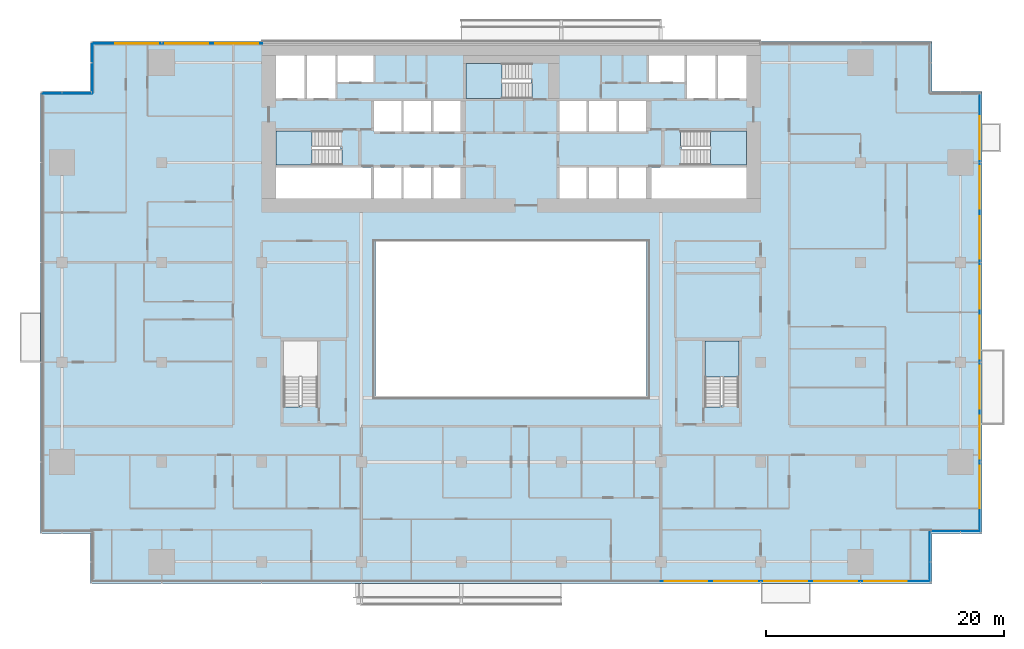
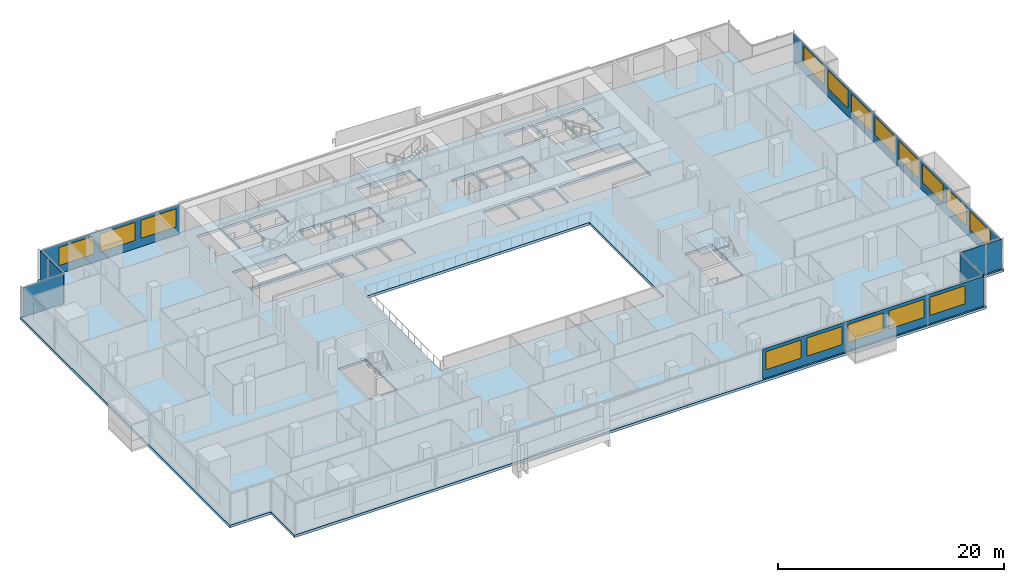
# One storey, part 15 of 26: 16 windows, 7 plates, 5 slabs, 16 openings, 11 elements without a shape of their own.
"""IFC4 building model written with IfcOpenShell, lengths in metres."""

from ifc_helpers import new_model, si_unit, direction, frame, frame_2d, origin, place, context, subcontext, project, spatial, polyline, rectangle, outline, extrude, material, layer, layer_set, type_object, element, fill, aggregate, save


model = new_model("IFC4")

# Units and contexts
model_context = context("Model", 3, precision=1e-05, world=origin(), true_north=direction((0.0, 1.0)))
body_context = subcontext(model_context, "Body", "Model", "MODEL_VIEW")
ifc_project = project(units=[si_unit("LENGTHUNIT", "METRE"), si_unit("AREAUNIT", "SQUARE_METRE"), si_unit("VOLUMEUNIT", "CUBIC_METRE"), si_unit("PLANEANGLEUNIT", "RADIAN"), si_unit("MASSUNIT", "GRAM", prefix="KILO")], contexts=[model_context])

# Site, building, storey
site_placement = place(None, origin())
site = spatial("IfcSite", under=ifc_project, at=site_placement, CompositionType="ELEMENT")
building_placement = place(site_placement, origin())
building = spatial("IfcBuilding", under=site, at=building_placement, Name="Saffron Gate Tower", CompositionType="ELEMENT")
storey_placement = place(building_placement, frame((0.0, 0.0, 62.39990234375)))
storey = spatial("IfcBuildingStorey", under=building, at=storey_placement, Name="L14", CompositionType="ELEMENT", Elevation=62.39990234375)

# Curtain wall, plate, openings, windows
ifc_material_1 = material(Name="Aluminium, bronze anodised", Category="aluminium")
curtain_wall_type_1 = type_object("IfcCurtainWallType", Name="CWS1 curtain wall front facade", PredefinedType="NOTDEFINED", material=ifc_material_1)
curtain_wall_1_placement = place(storey_placement, origin())
curtain_wall_1 = element("IfcCurtainWall", 1, at=curtain_wall_1_placement, inside=storey, type_object=curtain_wall_type_1, Name="CWS1 run 1", PredefinedType="NOTDEFINED")
ifc_material_2 = material(Name="Fritted bronze-tinted laminated glass", Category="glass")
ifc_layer_1 = layer(ifc_material_2, 0.028076171875)
ifc_layer_set_1 = layer_set([ifc_layer_1], Name="CWS1 fixed glass")
plate_type_1 = type_object("IfcPlateType", Name="CWS1 fixed glass", PredefinedType="CURTAIN_PANEL", material=ifc_layer_set_1)
plate_1_placement = place(storey_placement, frame((100.169921875, 30.174072265625, 0.0), z_axis=(0.0, 0.0, 1.0), x_axis=(1.0, 0.0, 0.0)))
plate_1 = element("IfcPlate", 2, at=plate_1_placement, type_object=plate_type_1, Name="CWS1 glass panel", PredefinedType="CURTAIN_PANEL", context=body_context, shape_type="SweptSolid", body=[
    extrude(rectangle(XDim=22.64208984375, YDim=0.028076171875, at=frame_2d((11.321044921875, 0.0))), origin(), (0.0, 0.0, 1.0), 3.2001953125),
])
opening_1_placement = place(plate_1_placement, frame((0.330078125, 0.0, 0.89990234375)))
opening_1 = element("IfcOpeningElement", 3, at=opening_1_placement, cuts=plate_1, Name="Opening W1", PredefinedType="OPENING", context=body_context, shape_type="SweptSolid", body=[
    extrude(rectangle(XDim=3.60009765625, YDim=1.949951171875, at=frame_2d((1.800048828125, 0.97509765625))), frame((0.0, 0.02392578125, 0.0), z_axis=(0.0, -1.0, 0.0), x_axis=(1.0, 0.0, 0.0)), (0.0, 0.0, 1.0), 0.048095703125),
])
opening_2_placement = place(plate_1_placement, frame((4.530029296875, 0.0, 0.89990234375)))
opening_2 = element("IfcOpeningElement", 4, at=opening_2_placement, cuts=plate_1, Name="Opening W1", PredefinedType="OPENING", context=body_context, shape_type="SweptSolid", body=[
    extrude(rectangle(XDim=3.60009765625, YDim=1.949951171875, at=frame_2d((1.800048828125, 0.97509765625))), frame((0.0, 0.02392578125, 0.0), z_axis=(0.0, -1.0, 0.0), x_axis=(1.0, 0.0, 0.0)), (0.0, 0.0, 1.0), 0.048095703125),
])
opening_3_placement = place(plate_1_placement, frame((8.72998046875, 0.0, 0.89990234375)))
opening_3 = element("IfcOpeningElement", 5, at=opening_3_placement, cuts=plate_1, Name="Opening W1", PredefinedType="OPENING", context=body_context, shape_type="SweptSolid", body=[
    extrude(rectangle(XDim=3.60009765625, YDim=1.949951171875, at=frame_2d((1.800048828125, 0.97509765625))), frame((0.0, 0.02392578125, 0.0), z_axis=(0.0, -1.0, 0.0), x_axis=(1.0, 0.0, 0.0)), (0.0, 0.0, 1.0), 0.048095703125),
])
opening_4_placement = place(plate_1_placement, frame((12.929931640625, 0.0, 0.89990234375)))
opening_4 = element("IfcOpeningElement", 6, at=opening_4_placement, cuts=plate_1, Name="Opening W1", PredefinedType="OPENING", context=body_context, shape_type="SweptSolid", body=[
    extrude(rectangle(XDim=3.60009765625, YDim=1.949951171875, at=frame_2d((1.800048828125, 0.97509765625))), frame((0.0, 0.02392578125, 0.0), z_axis=(0.0, -1.0, 0.0), x_axis=(1.0, 0.0, 0.0)), (0.0, 0.0, 1.0), 0.048095703125),
])
opening_5_placement = place(plate_1_placement, frame((17.1298828125, 0.0, 0.89990234375)))
opening_5 = element("IfcOpeningElement", 7, at=opening_5_placement, cuts=plate_1, Name="Opening W1", PredefinedType="OPENING", context=body_context, shape_type="SweptSolid", body=[
    extrude(rectangle(XDim=3.60009765625, YDim=1.949951171875, at=frame_2d((1.800048828125, 0.97509765625))), frame((0.0, 0.02392578125, 0.0), z_axis=(0.0, -1.0, 0.0), x_axis=(1.0, 0.0, 0.0)), (0.0, 0.0, 1.0), 0.048095703125),
])
ifc_material_3 = material(Name="Fritted bronze-tinted laminated glass in bronze frame", Category="glass")
ifc_layer_2 = layer(ifc_material_3, 0.06005859375)
ifc_layer_set_2 = layer_set([ifc_layer_2], Name="W1 operable panel 3600x1950")
window_type = type_object("IfcWindowType", Name="W1 operable panel 3600x1950", PartitioningType="DOUBLE_PANEL_HORIZONTAL", PredefinedType="WINDOW", material=ifc_layer_set_2)
window_1_placement = place(opening_1_placement, origin())
window_1 = element("IfcWindow", 8, at=window_1_placement, type_object=window_type, Name="W1 operable panel", OverallHeight=1.949951171875, OverallWidth=3.60009765625, PartitioningType="SINGLE_PANEL", PredefinedType="WINDOW", context=body_context, shape_type="SweptSolid", body=[
    extrude(rectangle(XDim=3.60009765625, YDim=1.949951171875, at=frame_2d((1.800048828125, 0.97509765625))), frame((0.0, 0.013671875, 0.0), z_axis=(0.0, -1.0, 0.0), x_axis=(1.0, 0.0, 0.0)), (0.0, 0.0, 1.0), 0.027587890625),
])
fill(opening_1, window_1)
window_2_placement = place(opening_2_placement, origin())
window_2 = element("IfcWindow", 9, at=window_2_placement, type_object=window_type, Name="W1 operable panel", OverallHeight=1.949951171875, OverallWidth=3.60009765625, PartitioningType="SINGLE_PANEL", PredefinedType="WINDOW", context=body_context, shape_type="SweptSolid", body=[
    extrude(rectangle(XDim=3.60009765625, YDim=1.949951171875, at=frame_2d((1.800048828125, 0.97509765625))), frame((0.0, 0.013671875, 0.0), z_axis=(0.0, -1.0, 0.0), x_axis=(1.0, 0.0, 0.0)), (0.0, 0.0, 1.0), 0.027587890625),
])
fill(opening_2, window_2)
window_3_placement = place(opening_3_placement, origin())
window_3 = element("IfcWindow", 10, at=window_3_placement, type_object=window_type, Name="W1 operable panel", OverallHeight=1.949951171875, OverallWidth=3.60009765625, PartitioningType="SINGLE_PANEL", PredefinedType="WINDOW", context=body_context, shape_type="SweptSolid", body=[
    extrude(rectangle(XDim=3.60009765625, YDim=1.949951171875, at=frame_2d((1.800048828125, 0.97509765625))), frame((0.0, 0.013671875, 0.0), z_axis=(0.0, -1.0, 0.0), x_axis=(1.0, 0.0, 0.0)), (0.0, 0.0, 1.0), 0.027587890625),
])
fill(opening_3, window_3)
window_4_placement = place(opening_4_placement, origin())
window_4 = element("IfcWindow", 11, at=window_4_placement, type_object=window_type, Name="W1 operable panel", OverallHeight=1.949951171875, OverallWidth=3.60009765625, PartitioningType="SINGLE_PANEL", PredefinedType="WINDOW", context=body_context, shape_type="SweptSolid", body=[
    extrude(rectangle(XDim=3.60009765625, YDim=1.949951171875, at=frame_2d((1.800048828125, 0.97509765625))), frame((0.0, 0.013671875, 0.0), z_axis=(0.0, -1.0, 0.0), x_axis=(1.0, 0.0, 0.0)), (0.0, 0.0, 1.0), 0.027587890625),
])
fill(opening_4, window_4)
window_5_placement = place(opening_5_placement, origin())
window_5 = element("IfcWindow", 12, at=window_5_placement, type_object=window_type, Name="W1 operable panel", OverallHeight=1.949951171875, OverallWidth=3.60009765625, PartitioningType="SINGLE_PANEL", PredefinedType="WINDOW", context=body_context, shape_type="SweptSolid", body=[
    extrude(rectangle(XDim=3.60009765625, YDim=1.949951171875, at=frame_2d((1.800048828125, 0.97509765625))), frame((0.0, 0.013671875, 0.0), z_axis=(0.0, -1.0, 0.0), x_axis=(1.0, 0.0, 0.0)), (0.0, 0.0, 1.0), 0.027587890625),
])
fill(opening_5, window_5)
aggregate(curtain_wall_1, [plate_1, window_1, window_2, window_3, window_4, window_5])

curtain_wall_type_2 = type_object("IfcCurtainWallType", Name="CWS2 curtain wall side facades", PredefinedType="NOTDEFINED", material=ifc_material_1)
curtain_wall_2_placement = place(storey_placement, origin())
curtain_wall_2 = element("IfcCurtainWall", 13, at=curtain_wall_2_placement, inside=storey, type_object=curtain_wall_type_2, Name="CWS2 run 4", PredefinedType="NOTDEFINED")
ifc_layer_3 = layer(ifc_material_2, 0.028076171875)
ifc_layer_set_3 = layer_set([ifc_layer_3], Name="CWS2 fixed glass")
plate_type_2 = type_object("IfcPlateType", Name="CWS2 fixed glass", PredefinedType="CURTAIN_PANEL", material=ifc_layer_set_3)
plate_2_placement = place(storey_placement, frame((127.02587890625, 34.387939453125, 0.0), z_axis=(0.0, 0.0, 1.0), x_axis=(0.0, 1.0, 0.0)))
plate_2 = element("IfcPlate", 14, at=plate_2_placement, type_object=plate_type_2, Name="CWS2 glass panel", PredefinedType="CURTAIN_PANEL", context=body_context, shape_type="SweptSolid", body=[
    extrude(rectangle(XDim=36.823974609375, YDim=0.028076171875, at=frame_2d((18.412109375, 0.0))), origin(), (0.0, 0.0, 1.0), 3.2001953125),
])
opening_6_placement = place(plate_2_placement, frame((1.912109375, 0.0, 0.89990234375)))
opening_6 = element("IfcOpeningElement", 15, at=opening_6_placement, cuts=plate_2, Name="Opening W1", PredefinedType="OPENING", context=body_context, shape_type="SweptSolid", body=[
    extrude(rectangle(XDim=3.60009765625, YDim=1.949951171875, at=frame_2d((1.800048828125, 0.97509765625))), frame((0.0, 0.02392578125, 0.0), z_axis=(0.0, -1.0, 0.0), x_axis=(1.0, 0.0, 0.0)), (0.0, 0.0, 1.0), 0.048095703125),
])
opening_7_placement = place(plate_2_placement, frame((6.112060546875, 0.0, 0.89990234375)))
opening_7 = element("IfcOpeningElement", 16, at=opening_7_placement, cuts=plate_2, Name="Opening W1", PredefinedType="OPENING", context=body_context, shape_type="SweptSolid", body=[
    extrude(rectangle(XDim=3.60009765625, YDim=1.949951171875, at=frame_2d((1.800048828125, 0.97509765625))), frame((0.0, 0.02392578125, 0.0), z_axis=(0.0, -1.0, 0.0), x_axis=(1.0, 0.0, 0.0)), (0.0, 0.0, 1.0), 0.048095703125),
])
opening_8_placement = place(plate_2_placement, frame((10.31201171875, 0.0, 0.89990234375)))
opening_8 = element("IfcOpeningElement", 17, at=opening_8_placement, cuts=plate_2, Name="Opening W1", PredefinedType="OPENING", context=body_context, shape_type="SweptSolid", body=[
    extrude(rectangle(XDim=3.60009765625, YDim=1.949951171875, at=frame_2d((1.800048828125, 0.97509765625))), frame((0.0, 0.02392578125, 0.0), z_axis=(0.0, -1.0, 0.0), x_axis=(1.0, 0.0, 0.0)), (0.0, 0.0, 1.0), 0.048095703125),
])
opening_9_placement = place(plate_2_placement, frame((14.511962890625, 0.0, 0.89990234375)))
opening_9 = element("IfcOpeningElement", 18, at=opening_9_placement, cuts=plate_2, Name="Opening W1", PredefinedType="OPENING", context=body_context, shape_type="SweptSolid", body=[
    extrude(rectangle(XDim=3.60009765625, YDim=1.949951171875, at=frame_2d((1.800048828125, 0.97509765625))), frame((0.0, 0.02392578125, 0.0), z_axis=(0.0, -1.0, 0.0), x_axis=(1.0, 0.0, 0.0)), (0.0, 0.0, 1.0), 0.048095703125),
])
opening_10_placement = place(plate_2_placement, frame((18.7119140625, 0.0, 0.89990234375)))
opening_10 = element("IfcOpeningElement", 19, at=opening_10_placement, cuts=plate_2, Name="Opening W1", PredefinedType="OPENING", context=body_context, shape_type="SweptSolid", body=[
    extrude(rectangle(XDim=3.60009765625, YDim=1.949951171875, at=frame_2d((1.800048828125, 0.97509765625))), frame((0.0, 0.02392578125, 0.0), z_axis=(0.0, -1.0, 0.0), x_axis=(1.0, 0.0, 0.0)), (0.0, 0.0, 1.0), 0.048095703125),
])
opening_11_placement = place(plate_2_placement, frame((22.912109375, 0.0, 0.89990234375)))
opening_11 = element("IfcOpeningElement", 20, at=opening_11_placement, cuts=plate_2, Name="Opening W1", PredefinedType="OPENING", context=body_context, shape_type="SweptSolid", body=[
    extrude(rectangle(XDim=3.60009765625, YDim=1.949951171875, at=frame_2d((1.800048828125, 0.97509765625))), frame((0.0, 0.02392578125, 0.0), z_axis=(0.0, -1.0, 0.0), x_axis=(1.0, 0.0, 0.0)), (0.0, 0.0, 1.0), 0.048095703125),
])
opening_12_placement = place(plate_2_placement, frame((27.112060546875, 0.0, 0.89990234375)))
opening_12 = element("IfcOpeningElement", 21, at=opening_12_placement, cuts=plate_2, Name="Opening W1", PredefinedType="OPENING", context=body_context, shape_type="SweptSolid", body=[
    extrude(rectangle(XDim=3.60009765625, YDim=1.949951171875, at=frame_2d((1.800048828125, 0.97509765625))), frame((0.0, 0.02392578125, 0.0), z_axis=(0.0, -1.0, 0.0), x_axis=(1.0, 0.0, 0.0)), (0.0, 0.0, 1.0), 0.048095703125),
])
opening_13_placement = place(plate_2_placement, frame((31.31201171875, 0.0, 0.89990234375)))
opening_13 = element("IfcOpeningElement", 22, at=opening_13_placement, cuts=plate_2, Name="Opening W1", PredefinedType="OPENING", context=body_context, shape_type="SweptSolid", body=[
    extrude(rectangle(XDim=3.60009765625, YDim=1.949951171875, at=frame_2d((1.800048828125, 0.97509765625))), frame((0.0, 0.02392578125, 0.0), z_axis=(0.0, -1.0, 0.0), x_axis=(1.0, 0.0, 0.0)), (0.0, 0.0, 1.0), 0.048095703125),
])
window_6_placement = place(opening_6_placement, origin())
window_6 = element("IfcWindow", 23, at=window_6_placement, type_object=window_type, Name="W1 operable panel", OverallHeight=1.949951171875, OverallWidth=3.60009765625, PartitioningType="SINGLE_PANEL", PredefinedType="WINDOW", context=body_context, shape_type="SweptSolid", body=[
    extrude(rectangle(XDim=3.60009765625, YDim=1.949951171875, at=frame_2d((1.800048828125, 0.97509765625))), frame((0.0, 0.013671875, 0.0), z_axis=(0.0, -1.0, 0.0), x_axis=(1.0, 0.0, 0.0)), (0.0, 0.0, 1.0), 0.027587890625),
])
fill(opening_6, window_6)
window_7_placement = place(opening_7_placement, origin())
window_7 = element("IfcWindow", 24, at=window_7_placement, type_object=window_type, Name="W1 operable panel", OverallHeight=1.949951171875, OverallWidth=3.60009765625, PartitioningType="SINGLE_PANEL", PredefinedType="WINDOW", context=body_context, shape_type="SweptSolid", body=[
    extrude(rectangle(XDim=3.60009765625, YDim=1.949951171875, at=frame_2d((1.800048828125, 0.97509765625))), frame((0.0, 0.013671875, 0.0), z_axis=(0.0, -1.0, 0.0), x_axis=(1.0, 0.0, 0.0)), (0.0, 0.0, 1.0), 0.027587890625),
])
fill(opening_7, window_7)
window_8_placement = place(opening_8_placement, origin())
window_8 = element("IfcWindow", 25, at=window_8_placement, type_object=window_type, Name="W1 operable panel", OverallHeight=1.949951171875, OverallWidth=3.60009765625, PartitioningType="SINGLE_PANEL", PredefinedType="WINDOW", context=body_context, shape_type="SweptSolid", body=[
    extrude(rectangle(XDim=3.60009765625, YDim=1.949951171875, at=frame_2d((1.800048828125, 0.97509765625))), frame((0.0, 0.013671875, 0.0), z_axis=(0.0, -1.0, 0.0), x_axis=(1.0, 0.0, 0.0)), (0.0, 0.0, 1.0), 0.027587890625),
])
fill(opening_8, window_8)
window_9_placement = place(opening_9_placement, origin())
window_9 = element("IfcWindow", 26, at=window_9_placement, type_object=window_type, Name="W1 operable panel", OverallHeight=1.949951171875, OverallWidth=3.60009765625, PartitioningType="SINGLE_PANEL", PredefinedType="WINDOW", context=body_context, shape_type="SweptSolid", body=[
    extrude(rectangle(XDim=3.60009765625, YDim=1.949951171875, at=frame_2d((1.800048828125, 0.97509765625))), frame((0.0, 0.013671875, 0.0), z_axis=(0.0, -1.0, 0.0), x_axis=(1.0, 0.0, 0.0)), (0.0, 0.0, 1.0), 0.027587890625),
])
fill(opening_9, window_9)
window_10_placement = place(opening_10_placement, origin())
window_10 = element("IfcWindow", 27, at=window_10_placement, type_object=window_type, Name="W1 operable panel", OverallHeight=1.949951171875, OverallWidth=3.60009765625, PartitioningType="SINGLE_PANEL", PredefinedType="WINDOW", context=body_context, shape_type="SweptSolid", body=[
    extrude(rectangle(XDim=3.60009765625, YDim=1.949951171875, at=frame_2d((1.800048828125, 0.97509765625))), frame((0.0, 0.013671875, 0.0), z_axis=(0.0, -1.0, 0.0), x_axis=(1.0, 0.0, 0.0)), (0.0, 0.0, 1.0), 0.027587890625),
])
fill(opening_10, window_10)
window_11_placement = place(opening_11_placement, origin())
window_11 = element("IfcWindow", 28, at=window_11_placement, type_object=window_type, Name="W1 operable panel", OverallHeight=1.949951171875, OverallWidth=3.60009765625, PartitioningType="SINGLE_PANEL", PredefinedType="WINDOW", context=body_context, shape_type="SweptSolid", body=[
    extrude(rectangle(XDim=3.60009765625, YDim=1.949951171875, at=frame_2d((1.800048828125, 0.97509765625))), frame((0.0, 0.013671875, 0.0), z_axis=(0.0, -1.0, 0.0), x_axis=(1.0, 0.0, 0.0)), (0.0, 0.0, 1.0), 0.027587890625),
])
fill(opening_11, window_11)
window_12_placement = place(opening_12_placement, origin())
window_12 = element("IfcWindow", 29, at=window_12_placement, type_object=window_type, Name="W1 operable panel", OverallHeight=1.949951171875, OverallWidth=3.60009765625, PartitioningType="SINGLE_PANEL", PredefinedType="WINDOW", context=body_context, shape_type="SweptSolid", body=[
    extrude(rectangle(XDim=3.60009765625, YDim=1.949951171875, at=frame_2d((1.800048828125, 0.97509765625))), frame((0.0, 0.013671875, 0.0), z_axis=(0.0, -1.0, 0.0), x_axis=(1.0, 0.0, 0.0)), (0.0, 0.0, 1.0), 0.027587890625),
])
fill(opening_12, window_12)
window_13_placement = place(opening_13_placement, origin())
window_13 = element("IfcWindow", 30, at=window_13_placement, type_object=window_type, Name="W1 operable panel", OverallHeight=1.949951171875, OverallWidth=3.60009765625, PartitioningType="SINGLE_PANEL", PredefinedType="WINDOW", context=body_context, shape_type="SweptSolid", body=[
    extrude(rectangle(XDim=3.60009765625, YDim=1.949951171875, at=frame_2d((1.800048828125, 0.97509765625))), frame((0.0, 0.013671875, 0.0), z_axis=(0.0, -1.0, 0.0), x_axis=(1.0, 0.0, 0.0)), (0.0, 0.0, 1.0), 0.027587890625),
])
fill(opening_13, window_13)
aggregate(curtain_wall_2, [plate_2, window_6, window_7, window_8, window_9, window_10, window_11, window_12, window_13])

curtain_wall_type_3 = type_object("IfcCurtainWallType", Name="CWS3 curtain wall rear facade", PredefinedType="NOTDEFINED", material=ifc_material_1)
curtain_wall_3_placement = place(storey_placement, origin())
curtain_wall_3 = element("IfcCurtainWall", 31, at=curtain_wall_3_placement, inside=storey, type_object=curtain_wall_type_3, Name="CWS3 run 7", PredefinedType="NOTDEFINED")
ifc_material_4 = material(Name="Fritted grey-tinted laminated glass", Category="glass")
ifc_layer_4 = layer(ifc_material_4, 0.028076171875)
ifc_layer_set_4 = layer_set([ifc_layer_4], Name="CWS3 fixed glass")
plate_type_3 = type_object("IfcPlateType", Name="CWS3 fixed glass", PredefinedType="CURTAIN_PANEL", material=ifc_layer_set_4)
plate_3_placement = place(storey_placement, frame((66.635009765625, 75.426025390625, 0.0), z_axis=(0.0, 0.0, 1.0), x_axis=(-1.0, 0.0, 0.0)))
plate_3 = element("IfcPlate", 32, at=plate_3_placement, type_object=plate_type_3, Name="CWS3 glass panel", PredefinedType="CURTAIN_PANEL", context=body_context, shape_type="SweptSolid", body=[
    extrude(rectangle(XDim=14.2470703125, YDim=0.028076171875, at=frame_2d((7.12353515625, 0.0))), origin(), (0.0, 0.0, 1.0), 3.2001953125),
])
opening_14_placement = place(plate_3_placement, frame((0.3349609375, 0.0, 0.89990234375)))
opening_14 = element("IfcOpeningElement", 33, at=opening_14_placement, cuts=plate_3, Name="Opening W1", PredefinedType="OPENING", context=body_context, shape_type="SweptSolid", body=[
    extrude(rectangle(XDim=3.60009765625, YDim=1.949951171875, at=frame_2d((1.800048828125, 0.97509765625))), frame((0.0, 0.02392578125, 0.0), z_axis=(0.0, -1.0, 0.0), x_axis=(1.0, 0.0, 0.0)), (0.0, 0.0, 1.0), 0.048095703125),
])
opening_15_placement = place(plate_3_placement, frame((4.534912109375, 0.0, 0.89990234375)))
opening_15 = element("IfcOpeningElement", 34, at=opening_15_placement, cuts=plate_3, Name="Opening W1", PredefinedType="OPENING", context=body_context, shape_type="SweptSolid", body=[
    extrude(rectangle(XDim=3.60009765625, YDim=1.949951171875, at=frame_2d((1.800048828125, 0.97509765625))), frame((0.0, 0.02392578125, 0.0), z_axis=(0.0, -1.0, 0.0), x_axis=(1.0, 0.0, 0.0)), (0.0, 0.0, 1.0), 0.048095703125),
])
opening_16_placement = place(plate_3_placement, frame((8.735107421875, 0.0, 0.89990234375)))
opening_16 = element("IfcOpeningElement", 35, at=opening_16_placement, cuts=plate_3, Name="Opening W1", PredefinedType="OPENING", context=body_context, shape_type="SweptSolid", body=[
    extrude(rectangle(XDim=3.60009765625, YDim=1.949951171875, at=frame_2d((1.800048828125, 0.97509765625))), frame((0.0, 0.02392578125, 0.0), z_axis=(0.0, -1.0, 0.0), x_axis=(1.0, 0.0, 0.0)), (0.0, 0.0, 1.0), 0.048095703125),
])
window_14_placement = place(opening_14_placement, origin())
window_14 = element("IfcWindow", 36, at=window_14_placement, type_object=window_type, Name="W1 operable panel", OverallHeight=1.949951171875, OverallWidth=3.60009765625, PartitioningType="SINGLE_PANEL", PredefinedType="WINDOW", context=body_context, shape_type="SweptSolid", body=[
    extrude(rectangle(XDim=3.60009765625, YDim=1.949951171875, at=frame_2d((1.800048828125, 0.97509765625))), frame((0.0, 0.013671875, 0.0), z_axis=(0.0, -1.0, 0.0), x_axis=(1.0, 0.0, 0.0)), (0.0, 0.0, 1.0), 0.027587890625),
])
fill(opening_14, window_14)
window_15_placement = place(opening_15_placement, origin())
window_15 = element("IfcWindow", 37, at=window_15_placement, type_object=window_type, Name="W1 operable panel", OverallHeight=1.949951171875, OverallWidth=3.60009765625, PartitioningType="SINGLE_PANEL", PredefinedType="WINDOW", context=body_context, shape_type="SweptSolid", body=[
    extrude(rectangle(XDim=3.60009765625, YDim=1.949951171875, at=frame_2d((1.800048828125, 0.97509765625))), frame((0.0, 0.013671875, 0.0), z_axis=(0.0, -1.0, 0.0), x_axis=(1.0, 0.0, 0.0)), (0.0, 0.0, 1.0), 0.027587890625),
])
fill(opening_15, window_15)
window_16_placement = place(opening_16_placement, origin())
window_16 = element("IfcWindow", 38, at=window_16_placement, type_object=window_type, Name="W1 operable panel", OverallHeight=1.949951171875, OverallWidth=3.60009765625, PartitioningType="SINGLE_PANEL", PredefinedType="WINDOW", context=body_context, shape_type="SweptSolid", body=[
    extrude(rectangle(XDim=3.60009765625, YDim=1.949951171875, at=frame_2d((1.800048828125, 0.97509765625))), frame((0.0, 0.013671875, 0.0), z_axis=(0.0, -1.0, 0.0), x_axis=(1.0, 0.0, 0.0)), (0.0, 0.0, 1.0), 0.027587890625),
])
fill(opening_16, window_16)
aggregate(curtain_wall_3, [plate_3, window_14, window_15, window_16])

# Curtain wall, plate
curtain_wall_type_4 = type_object("IfcCurtainWallType", Name="CWS4 curtain wall corner returns", PredefinedType="NOTDEFINED", material=ifc_material_1)
curtain_wall_4_placement = place(storey_placement, origin())
curtain_wall_4 = element("IfcCurtainWall", 39, at=curtain_wall_4_placement, inside=storey, type_object=curtain_wall_type_4, Name="CWS4 run 2", PredefinedType="NOTDEFINED")
ifc_layer_5 = layer(ifc_material_2, 0.028076171875)
ifc_layer_set_5 = layer_set([ifc_layer_5], Name="CWS4 fixed glass")
plate_type_4 = type_object("IfcPlateType", Name="CWS4 fixed glass", PredefinedType="CURTAIN_PANEL", material=ifc_layer_set_5)
plate_4_placement = place(storey_placement, frame((122.825927734375, 30.18798828125, 0.0), z_axis=(0.0, 0.0, 1.0), x_axis=(0.0, 1.0, 0.0)))
plate_4 = element("IfcPlate", 40, at=plate_4_placement, type_object=plate_type_4, Name="CWS4 glass panel", PredefinedType="CURTAIN_PANEL", context=body_context, shape_type="SweptSolid", body=[
    extrude(rectangle(XDim=4.172119140625, YDim=0.028076171875, at=frame_2d((2.0859375, 0.0))), origin(), (0.0, 0.0, 1.0), 3.2001953125),
])
aggregate(curtain_wall_4, [plate_4])

curtain_wall_5_placement = place(storey_placement, origin())
curtain_wall_5 = element("IfcCurtainWall", 41, at=curtain_wall_5_placement, inside=storey, type_object=curtain_wall_type_4, Name="CWS4 run 3", PredefinedType="NOTDEFINED")
plate_5_placement = place(storey_placement, frame((122.840087890625, 34.3740234375, 0.0), z_axis=(0.0, 0.0, 1.0), x_axis=(1.0, 0.0, 0.0)))
plate_5 = element("IfcPlate", 42, at=plate_5_placement, type_object=plate_type_4, Name="CWS4 glass panel", PredefinedType="CURTAIN_PANEL", context=body_context, shape_type="SweptSolid", body=[
    extrude(rectangle(XDim=4.171875, YDim=0.028076171875, at=frame_2d((2.0859375, 0.0))), origin(), (0.0, 0.0, 1.0), 3.2001953125),
])
aggregate(curtain_wall_5, [plate_5])

curtain_wall_6_placement = place(storey_placement, origin())
curtain_wall_6 = element("IfcCurtainWall", 43, at=curtain_wall_6_placement, inside=storey, type_object=curtain_wall_type_4, Name="CWS4 run 8", PredefinedType="NOTDEFINED")
plate_6_placement = place(storey_placement, frame((52.3740234375, 75.412109375, 0.0), z_axis=(0.0, 0.0, 1.0), x_axis=(0.0, -1.0, 0.0)))
plate_6 = element("IfcPlate", 44, at=plate_6_placement, type_object=plate_type_4, Name="CWS4 glass panel", PredefinedType="CURTAIN_PANEL", context=body_context, shape_type="SweptSolid", body=[
    extrude(rectangle(XDim=4.172119140625, YDim=0.028076171875, at=frame_2d((2.0859375, 0.0))), origin(), (0.0, 0.0, 1.0), 3.2001953125),
])
aggregate(curtain_wall_6, [plate_6])

curtain_wall_7_placement = place(storey_placement, origin())
curtain_wall_7 = element("IfcCurtainWall", 45, at=curtain_wall_7_placement, inside=storey, type_object=curtain_wall_type_4, Name="CWS4 run 9", PredefinedType="NOTDEFINED")
plate_7_placement = place(storey_placement, frame((52.360107421875, 71.22607421875, 0.0), z_axis=(0.0, 0.0, 1.0), x_axis=(-1.0, 0.0, 0.0)))
plate_7 = element("IfcPlate", 46, at=plate_7_placement, type_object=plate_type_4, Name="CWS4 glass panel", PredefinedType="CURTAIN_PANEL", context=body_context, shape_type="SweptSolid", body=[
    extrude(rectangle(XDim=4.172119140625, YDim=0.028076171875, at=frame_2d((2.0859375, 0.0))), origin(), (0.0, 0.0, 1.0), 3.2001953125),
])
aggregate(curtain_wall_7, [plate_7])

# Slab
ifc_material_5 = material(Name="Concrete C40", Category="concrete")
ifc_layer_6 = layer(ifc_material_5, 0.280029296875)
ifc_layer_set_6 = layer_set([ifc_layer_6], Name="S2 FLOOR SLAB 280 CONCRETE C40")
slab_type_1 = type_object("IfcSlabType", Name="S2 FLOOR SLAB 280 CONCRETE C40", PredefinedType="FLOOR", material=ifc_layer_set_6)
slab_1_placement = place(storey_placement, frame((0.0, 0.0, -0.27978515625)))
element("IfcSlab", 47, at=slab_1_placement, inside=storey, type_object=slab_type_1, Name="S2 FLOOR SLAB", PredefinedType="FLOOR", context=body_context, shape_type="SweptSolid", body=[
    extrude(outline(polyline([(48.0, 34.199951171875), (52.199951171875, 34.199951171875), (52.199951171875, 30.0), (123.0, 30.0), (123.0, 34.199951171875), (127.199951171875, 34.199951171875), (127.199951171875, 71.39990234375), (123.0, 71.39990234375), (123.0, 75.60009765625), (52.199951171875, 75.60009765625), (52.199951171875, 71.39990234375), (48.0, 71.39990234375), (48.0, 34.199951171875)]), holes=[polyline([(67.800048828125, 62.39990234375), (67.800048828125, 65.0), (75.800048828125, 65.0), (75.800048828125, 62.39990234375), (67.800048828125, 62.39990234375)]), polyline([(67.800048828125, 65.199951171875), (67.800048828125, 68.050048828125), (73.25, 68.050048828125), (73.25, 66.550048828125), (73.34912109375, 66.550048828125), (73.34912109375, 65.199951171875), (67.800048828125, 65.199951171875)]), polyline([(67.800048828125, 70.800048828125), (67.800048828125, 74.39990234375), (70.199951171875, 74.39990234375), (70.199951171875, 70.800048828125), (67.800048828125, 70.800048828125)]), polyline([(68.449951171875, 44.85107421875), (68.449951171875, 50.39990234375), (71.300048828125, 50.39990234375), (71.300048828125, 44.949951171875), (69.800048828125, 44.949951171875), (69.800048828125, 44.85107421875), (68.449951171875, 44.85107421875)]), polyline([(70.39990234375, 70.800048828125), (70.39990234375, 74.39990234375), (72.800048828125, 74.39990234375), (72.800048828125, 70.800048828125), (70.39990234375, 70.800048828125)]), polyline([(73.0, 72.199951171875), (73.0, 74.39990234375), (76.0, 74.39990234375), (76.0, 72.199951171875), (73.0, 72.199951171875)]), polyline([(76.050048828125, 62.39990234375), (76.050048828125, 65.0), (78.35009765625, 65.0), (78.35009765625, 62.39990234375), (76.050048828125, 62.39990234375)]), polyline([(76.050048828125, 68.0), (76.050048828125, 70.60009765625), (78.35009765625, 70.60009765625), (78.35009765625, 68.0), (76.050048828125, 68.0)]), polyline([(76.199951171875, 45.60009765625), (76.199951171875, 58.800048828125), (99.0, 58.800048828125), (99.0, 45.60009765625), (76.199951171875, 45.60009765625)]), polyline([(78.550048828125, 62.39990234375), (78.550048828125, 65.0), (80.85009765625, 65.0), (80.85009765625, 62.39990234375), (78.550048828125, 62.39990234375)]), polyline([(78.550048828125, 68.0), (78.550048828125, 70.60009765625), (80.85009765625, 70.60009765625), (80.85009765625, 68.0), (78.550048828125, 68.0)]), polyline([(81.050048828125, 62.39990234375), (81.050048828125, 65.0), (83.35009765625, 65.0), (83.35009765625, 62.39990234375), (81.050048828125, 62.39990234375)]), polyline([(81.050048828125, 68.0), (81.050048828125, 70.60009765625), (83.35009765625, 70.60009765625), (83.35009765625, 68.0), (81.050048828125, 68.0)]), polyline([(83.800048828125, 70.800048828125), (83.800048828125, 73.75), (89.25, 73.75), (89.25, 72.14990234375), (89.34912109375, 72.14990234375), (89.34912109375, 70.800048828125), (83.800048828125, 70.800048828125)]), polyline([(91.64990234375, 62.39990234375), (91.64990234375, 65.0), (93.949951171875, 65.0), (93.949951171875, 62.39990234375), (91.64990234375, 62.39990234375)]), polyline([(91.64990234375, 68.0), (91.64990234375, 70.60009765625), (93.949951171875, 70.60009765625), (93.949951171875, 68.0), (91.64990234375, 68.0)]), polyline([(94.14990234375, 62.39990234375), (94.14990234375, 65.0), (96.449951171875, 65.0), (96.449951171875, 62.39990234375), (94.14990234375, 62.39990234375)]), polyline([(94.14990234375, 68.0), (94.14990234375, 70.60009765625), (96.449951171875, 70.60009765625), (96.449951171875, 68.0), (94.14990234375, 68.0)]), polyline([(96.64990234375, 62.39990234375), (96.64990234375, 65.0), (98.949951171875, 65.0), (98.949951171875, 62.39990234375), (96.64990234375, 62.39990234375)]), polyline([(96.64990234375, 68.0), (96.64990234375, 70.60009765625), (98.949951171875, 70.60009765625), (98.949951171875, 68.0), (96.64990234375, 68.0)]), polyline([(99.199951171875, 72.199951171875), (99.199951171875, 74.39990234375), (102.199951171875, 74.39990234375), (102.199951171875, 72.199951171875), (99.199951171875, 72.199951171875)]), polyline([(99.39990234375, 62.39990234375), (99.39990234375, 65.0), (107.39990234375, 65.0), (107.39990234375, 62.39990234375), (99.39990234375, 62.39990234375)]), polyline([(101.85107421875, 66.699951171875), (101.85107421875, 68.050048828125), (107.39990234375, 68.050048828125), (107.39990234375, 65.199951171875), (101.949951171875, 65.199951171875), (101.949951171875, 66.699951171875), (101.85107421875, 66.699951171875)]), polyline([(102.39990234375, 70.800048828125), (102.39990234375, 74.39990234375), (104.800048828125, 74.39990234375), (104.800048828125, 70.800048828125), (102.39990234375, 70.800048828125)]), polyline([(103.89990234375, 44.85107421875), (103.89990234375, 50.39990234375), (106.75, 50.39990234375), (106.75, 44.949951171875), (105.25, 44.949951171875), (105.25, 44.85107421875), (103.89990234375, 44.85107421875)]), polyline([(105.0, 70.800048828125), (105.0, 74.39990234375), (107.39990234375, 74.39990234375), (107.39990234375, 70.800048828125), (105.0, 70.800048828125)])]), origin(), (0.0, 0.0, 1.0), 0.27978515625),
])

# Stair, slab
stair_type = type_object("IfcStairType", Name="ST7 Stair 1350 wide, 20 risers of 180", PredefinedType="HALF_TURN_STAIR", material=ifc_material_5)
stair_1_placement = place(storey_placement, origin())
stair_1 = element("IfcStair", 48, at=stair_1_placement, inside=storey, type_object=stair_type, Name="L14 Exit stair A", PredefinedType="HALF_TURN_STAIR")
ifc_layer_7 = layer(ifc_material_5, 0.199951171875)
ifc_layer_set_7 = layer_set([ifc_layer_7], Name="SL1 Stair landing 200")
slab_type_2 = type_object("IfcSlabType", Name="SL1 Stair landing 200", PredefinedType="LANDING", material=ifc_layer_set_7)
slab_2_placement = place(storey_placement, frame((0.0, 0.0, 1.60009765625)))
slab_2 = element("IfcSlab", 49, at=slab_2_placement, type_object=slab_type_2, Name="ST-A landing 1", PredefinedType="LANDING", context=body_context, shape_type="SweptSolid", body=[
    extrude(outline(polyline([(70.830078125, 68.050048828125), (67.800048828125, 68.050048828125), (67.800048828125, 65.199951171875), (70.830078125, 65.199951171875), (70.830078125, 68.050048828125)])), origin(), (0.0, 0.0, 1.0), 0.199951171875),
])
aggregate(stair_1, [slab_2])

stair_2_placement = place(storey_placement, origin())
stair_2 = element("IfcStair", 50, at=stair_2_placement, inside=storey, type_object=stair_type, Name="L14 Exit stair B", PredefinedType="HALF_TURN_STAIR")
slab_3_placement = place(storey_placement, frame((0.0, 0.0, 1.60009765625)))
slab_3 = element("IfcSlab", 51, at=slab_3_placement, type_object=slab_type_2, Name="ST-B landing 1", PredefinedType="LANDING", context=body_context, shape_type="SweptSolid", body=[
    extrude(outline(polyline([(104.3701171875, 65.199951171875), (107.39990234375, 65.199951171875), (107.39990234375, 68.050048828125), (104.3701171875, 68.050048828125), (104.3701171875, 65.199951171875)])), origin(), (0.0, 0.0, 1.0), 0.199951171875),
])
aggregate(stair_2, [slab_3])

stair_3_placement = place(storey_placement, origin())
stair_3 = element("IfcStair", 52, at=stair_3_placement, inside=storey, type_object=stair_type, Name="L14 Exit stair C", PredefinedType="HALF_TURN_STAIR")
slab_4_placement = place(storey_placement, frame((0.0, 0.0, 1.60009765625)))
slab_4 = element("IfcSlab", 53, at=slab_4_placement, type_object=slab_type_2, Name="ST-C landing 1", PredefinedType="LANDING", context=body_context, shape_type="SweptSolid", body=[
    extrude(outline(polyline([(86.830078125, 73.75), (83.800048828125, 73.75), (83.800048828125, 70.800048828125), (86.830078125, 70.800048828125), (86.830078125, 73.75)])), origin(), (0.0, 0.0, 1.0), 0.199951171875),
])
aggregate(stair_3, [slab_4])

stair_4_placement = place(storey_placement, origin())
stair_4 = element("IfcStair", 54, at=stair_4_placement, inside=storey, type_object=stair_type, Name="L14 Exit stair E", PredefinedType="HALF_TURN_STAIR")
slab_5_placement = place(storey_placement, frame((0.0, 0.0, 1.60009765625)))
slab_5 = element("IfcSlab", 55, at=slab_5_placement, type_object=slab_type_2, Name="ST-E landing 1", PredefinedType="LANDING", context=body_context, shape_type="SweptSolid", body=[
    extrude(outline(polyline([(106.75, 47.3701171875), (106.75, 50.39990234375), (103.89990234375, 50.39990234375), (103.89990234375, 47.3701171875), (106.75, 47.3701171875)])), origin(), (0.0, 0.0, 1.0), 0.199951171875),
])
aggregate(stair_4, [slab_5])

save(model, "model.ifc")
